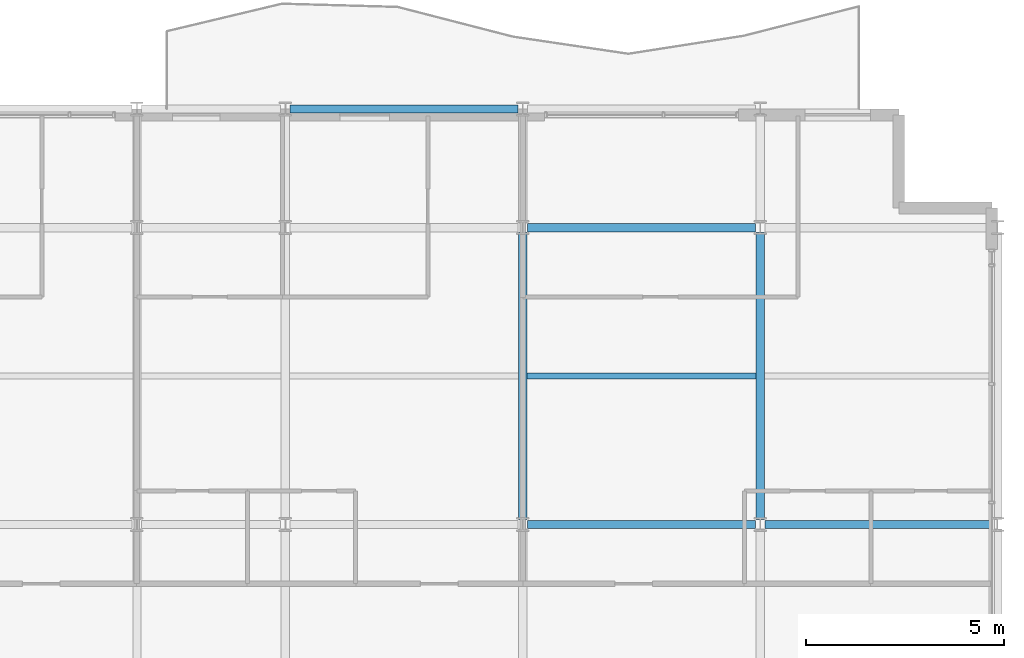
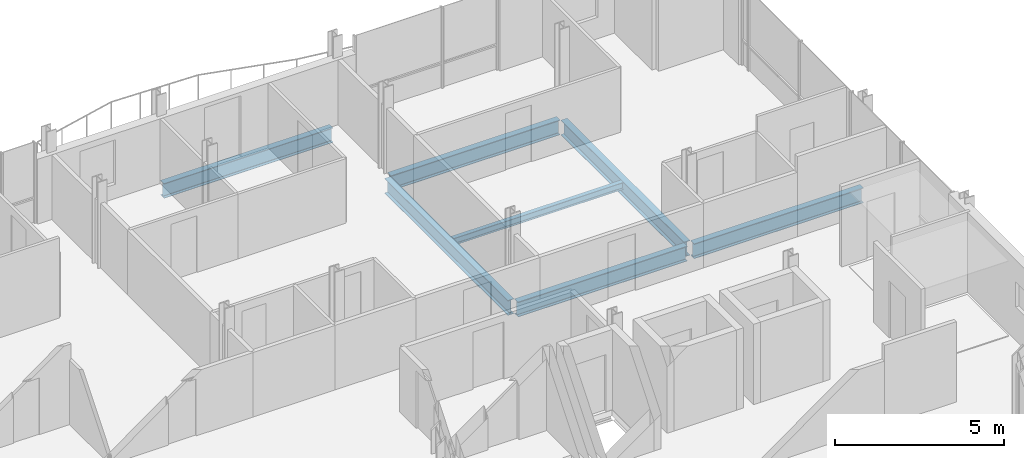
# One storey, part 8 of 17: 7 beams.
"""IFC4 building model written with IfcOpenShell, lengths in metres."""

import ifcopenshell
import ifcopenshell.guid

model = None  # the IFC model being written
_history = None  # IfcOwnerHistory: only IFC2X3 demands one
_inside = {}  # id of a spatial element -> (the spatial element, [elements in it])
_under = {}  # id of a project, library or spatial element -> (it, [spatial elements below it])
_declared = {}  # id of a project -> (the project, [libraries it declares])
_typed = {}  # id of a type object -> (the type object, [elements of that type])
_made_of = {}  # id of a material, layer set ... -> (it, [elements and type objects made of it])


def new_model(schema):
    """Start an empty IFC model of exactly this schema.

    Asked for "IFC4X3", IfcOpenShell would pick the latest addendum, in which some entities
    have other attributes; the version numbers below select the first issue.
    IFC2X3 requires an IfcOwnerHistory on every rooted entity: one is made here for all.
    """
    global model, _history
    if schema == "IFC4X3":
        model = ifcopenshell.file(schema_version=(4, 3, 0, 0))
    else:
        model = ifcopenshell.file(schema=schema)
    _inside.clear()
    _under.clear()
    _declared.clear()
    _typed.clear()
    _made_of.clear()
    _history = None
    if model.schema == "IFC2X3":
        org = make("IfcOrganization", Name="unknown")
        user = make(
            "IfcPersonAndOrganization",
            ThePerson=make("IfcPerson", FamilyName="unknown"),
            TheOrganization=org,
        )
        app = make(
            "IfcApplication",
            ApplicationDeveloper=org,
            Version="unknown",
            ApplicationFullName="unknown",
            ApplicationIdentifier="unknown",
        )
        _history = make(
            "IfcOwnerHistory",
            OwningUser=user,
            OwningApplication=app,
            ChangeAction="ADDED",
            CreationDate=0,
        )
    return model


def make(cls, **values):
    """One entity of the class cls with the attributes given. An attribute that is None is left unset."""
    return model.create_entity(
        cls, **{name: value for name, value in values.items() if value is not None}
    )


def rooted(cls, **values):
    """An entity with a GlobalId (a new one), such as an element, a storey or a relation."""
    return make(cls, GlobalId=ifcopenshell.guid.new(), OwnerHistory=_history, **values)


def si_unit(unit_type, name, prefix=None):
    """IfcSIUnit, for example si_unit("LENGTHUNIT", "METRE", prefix="MILLI")."""
    return make("IfcSIUnit", UnitType=unit_type, Prefix=prefix, Name=name)


def assignment(units):
    """IfcUnitAssignment: the units of a project."""
    return None if units is None else make("IfcUnitAssignment", Units=units)


def point(xyz):
    """IfcCartesianPoint."""
    return None if xyz is None else make("IfcCartesianPoint", Coordinates=xyz)


def direction(xyz):
    """IfcDirection."""
    return None if xyz is None else make("IfcDirection", DirectionRatios=xyz)


def frame(location, z_axis=None, x_axis=None):
    """IfcAxis2Placement3D, a coordinate frame: its origin and axes. An axis left out is left unset."""
    return make(
        "IfcAxis2Placement3D",
        Location=point(location),
        Axis=direction(z_axis),
        RefDirection=direction(x_axis),
    )


def frame_2d(location, x_axis=None):
    """IfcAxis2Placement2D, a coordinate frame in the plane: its origin and x axis."""
    return make(
        "IfcAxis2Placement2D", Location=point(location), RefDirection=direction(x_axis)
    )


def origin():
    """The frame at (0, 0, 0) with its axes left unset."""
    return frame((0.0, 0.0, 0.0))


def origin_2d():
    """The frame at (0, 0) in the plane with its x axis left unset."""
    return frame_2d((0.0, 0.0))


def place(relative_to, where):
    """IfcLocalPlacement: puts the frame where relative to a parent placement (None: the world)."""
    return make(
        "IfcLocalPlacement", PlacementRelTo=relative_to, RelativePlacement=where
    )


def context(
    kind, dimensions, precision=None, world=None, true_north=None, identifier=None
):
    """IfcGeometricRepresentationContext, for example the 3D "Model" context."""
    return make(
        "IfcGeometricRepresentationContext",
        ContextIdentifier=identifier,
        ContextType=kind,
        CoordinateSpaceDimension=dimensions,
        Precision=precision,
        WorldCoordinateSystem=world,
        TrueNorth=true_north,
    )


def subcontext(parent, identifier, kind, view, scale=None):
    """IfcGeometricRepresentationSubContext, for example "Body" below "Model"."""
    return make(
        "IfcGeometricRepresentationSubContext",
        ContextIdentifier=identifier,
        ContextType=kind,
        ParentContext=parent,
        TargetScale=scale,
        TargetView=view,
    )


def project(units=None, contexts=None):
    """IfcProject with its units and contexts."""
    return rooted(
        "IfcProject",
        Name="project",
        RepresentationContexts=contexts,
        UnitsInContext=assignment(units),
    )


def spatial(cls, under=None, at=None, **own):
    """A site, building, storey or space (cls), placed at a placement, below another one or the project."""
    s = rooted(cls, ObjectPlacement=at, **own)
    if under is not None:
        _under.setdefault(under.id(), (under, []))[1].append(s)
    return s


def profile(cls, at=None, kind="AREA", **sizes):
    """A parametric profile (cls). Its sizes go by their IFC names, for example OverallWidth=200.0."""
    return make(cls, ProfileType=kind, Position=at, **sizes)


def i_section(**sizes):
    """IfcIShapeProfileDef."""
    return profile("IfcIShapeProfileDef", **sizes)


def extrude(swept, where, along, depth):
    """IfcExtrudedAreaSolid: the profile swept, set in the frame where, extruded along a direction by depth."""
    return make(
        "IfcExtrudedAreaSolid",
        SweptArea=swept,
        Position=where,
        ExtrudedDirection=direction(along),
        Depth=depth,
    )


def shape(context_of_items, identifier, shape_type, items):
    """IfcShapeRepresentation: the items that make up one representation, for example the "Body"."""
    return make(
        "IfcShapeRepresentation",
        ContextOfItems=context_of_items,
        RepresentationIdentifier=identifier,
        RepresentationType=shape_type,
        Items=items,
    )


def material(Name=None, Category=None):
    """IfcMaterial."""
    return make("IfcMaterial", Name=Name, Category=Category)


def material_profile(
    of_material, cross_section, Name=None, Category=None, Priority=None
):
    """IfcMaterialProfile: a cross section and its material."""
    return make(
        "IfcMaterialProfile",
        Name=Name,
        Material=of_material,
        Profile=cross_section,
        Priority=Priority,
        Category=Category,
    )


def profile_set(profiles, Name=None, composite=None):
    """IfcMaterialProfileSet."""
    return make(
        "IfcMaterialProfileSet",
        Name=Name,
        MaterialProfiles=profiles,
        CompositeProfile=composite,
    )


def made_of(thing, what):
    """Note that an element or type object is made of a material, layer set ...; save() writes the relation."""
    if what is not None:
        _made_of.setdefault(what.id(), (what, []))[1].append(thing)
    return thing


def type_object(cls, material=None, **own):
    """A type object (cls), such as IfcWallType, which elements share."""
    return made_of(rooted(cls, **own), material)


def element(
    cls,
    number,
    at=None,
    inside=None,
    cuts=None,
    type_object=None,
    material=None,
    context=None,
    identifier="Body",
    shape_type=None,
    held_by="IfcProductDefinitionShape",
    body=None,
    shapes=None,
    **own,
):
    """One element of the class cls, such as IfcWall. Its Tag is "e" and its number.

    at: its placement. inside: the storey or other place that contains it. cuts: it is an
    opening in that element (IfcRelVoidsElement). A single representation is given by context,
    identifier, shape_type and body (its items); several are given by shapes. held_by: the class
    of the entity that holds the representations. save() writes the other relations.
    """
    e = rooted(cls, Tag="e%d" % number, ObjectPlacement=at, **own)
    if body is not None:
        shapes = [shape(context, identifier, shape_type, body)]
    if shapes is not None:
        e.Representation = make(held_by, Representations=shapes)
    if inside is not None:
        _inside.setdefault(inside.id(), (inside, []))[1].append(e)
    if cuts is not None:
        rooted(
            "IfcRelVoidsElement", RelatingBuildingElement=cuts, RelatedOpeningElement=e
        )
    if type_object is not None:
        _typed.setdefault(type_object.id(), (type_object, []))[1].append(e)
    return made_of(e, material)


def aggregate(whole, parts):
    """IfcRelAggregates: a whole, such as a stair, and the parts it consists of."""
    return rooted("IfcRelAggregates", RelatingObject=whole, RelatedObjects=parts)


def save(model, path):
    """Write the relations noted so far, then the file.

    IfcRelAggregates (storeys below a building ...), IfcRelContainedInSpatialStructure (elements
    in a storey), IfcRelDefinesByType, IfcRelAssociatesMaterial and IfcRelDeclares: one each for
    every whole, place, type object, material and project.
    """
    for whole, parts in _under.values():
        aggregate(whole, parts)
    for where, things in _inside.values():
        rooted(
            "IfcRelContainedInSpatialStructure",
            RelatedElements=things,
            RelatingStructure=where,
        )
    for kind, things in _typed.values():
        rooted("IfcRelDefinesByType", RelatedObjects=things, RelatingType=kind)
    for what, things in _made_of.values():
        rooted("IfcRelAssociatesMaterial", RelatedObjects=things, RelatingMaterial=what)
    for by, libraries in _declared.values():
        rooted("IfcRelDeclares", RelatingContext=by, RelatedDefinitions=libraries)
    model.write(path)


model = new_model("IFC4")

# Units and contexts
model_context = context("Model", 3, precision=1e-05, world=origin(), true_north=direction((0.0, 1.0)))
body_context = subcontext(model_context, "Body", "Model", "MODEL_VIEW")
ifc_project = project(units=[si_unit("LENGTHUNIT", "METRE"), si_unit("AREAUNIT", "SQUARE_METRE"), si_unit("VOLUMEUNIT", "CUBIC_METRE"), si_unit("PLANEANGLEUNIT", "RADIAN"), si_unit("MASSUNIT", "GRAM", prefix="KILO")], contexts=[model_context])

# Site, building, storey
site_placement = place(None, origin())
site = spatial("IfcSite", under=ifc_project, at=site_placement, CompositionType="ELEMENT")
building_placement = place(site_placement, origin())
building = spatial("IfcBuilding", under=site, at=building_placement, Name="Brevholm Reach", CompositionType="ELEMENT")
storey_placement = place(building_placement, frame((0.0, 0.0, 221.10009765625)))
storey = spatial("IfcBuildingStorey", under=building, at=storey_placement, Name="L67", CompositionType="ELEMENT", Elevation=221.10009765625)

# Beams
ifc_material_1 = material(Name="Structural Steel S355J2", Category="steel")
ifc_material_profile_1 = material_profile(ifc_material_1, i_section(OverallWidth=0.14599609375, OverallDepth=0.25146484375, WebThickness=0.006103515625, FlangeThickness=0.008544921875, FilletRadius=0.007568359375, at=origin_2d()), Name="UKB 254x146x31")
ifc_profile_set_1 = profile_set([ifc_material_profile_1], Name="Structural Steel S355J2")
beam_type_1 = type_object("IfcBeamType", Name="BM-B254", PredefinedType="BEAM", material=ifc_profile_set_1)
beam_1_placement = place(storey_placement, frame((48.10546875, 19.75, -0.335693359375), z_axis=(1.0, 0.0, 0.0), x_axis=(0.0, 1.0, 0.0)))
element("IfcBeam", 1, at=beam_1_placement, inside=storey, type_object=beam_type_1, Name="L67 Composite Secondary Floor Beam", PredefinedType="BEAM", context=body_context, shape_type="SweptSolid", body=[
    extrude(i_section(OverallWidth=0.14599609375, OverallDepth=0.25146484375, WebThickness=0.006103515625, FlangeThickness=0.008544921875, FilletRadius=0.007568359375, at=origin_2d()), origin(), (0.0, 0.0, 1.0), 5.7890625),
])
ifc_material_2 = material(Name="Structural Steel S355J2", Category="steel")
ifc_material_profile_2 = material_profile(ifc_material_2, i_section(OverallWidth=0.209228515625, OverallDepth=0.533203125, WebThickness=0.010009765625, FlangeThickness=0.015625, FilletRadius=0.0126953125, at=origin_2d()), Name="UKB 533x210x92")
ifc_profile_set_2 = profile_set([ifc_material_profile_2], Name="Structural Steel S355J2")
beam_type_2 = type_object("IfcBeamType", Name="BM-SP533", PredefinedType="SPANDREL", material=ifc_profile_set_2)
beam_2_placement = place(storey_placement, frame((42.1201171875, 26.5, -0.4765625), z_axis=(1.0, 0.0, 0.0), x_axis=(0.0, 1.0, 0.0)))
element("IfcBeam", 2, at=beam_2_placement, inside=storey, type_object=beam_type_2, Name="L67 SP-02 Framing Beam", PredefinedType="SPANDREL", context=body_context, shape_type="SweptSolid", body=[
    extrude(i_section(OverallWidth=0.209228515625, OverallDepth=0.533203125, WebThickness=0.010009765625, FlangeThickness=0.015625, FilletRadius=0.0126953125, at=origin_2d()), origin(), (0.0, 0.0, 1.0), 5.759765625),
])
ifc_material_3 = material(Name="Structural Steel S355J2", Category="steel")
ifc_material_profile_3 = material_profile(ifc_material_3, i_section(OverallWidth=0.210693359375, OverallDepth=0.53955078125, WebThickness=0.01171875, FlangeThickness=0.018798828125, FilletRadius=0.0126953125, at=origin_2d()), Name="UKB 533x210x109")
ifc_profile_set_3 = profile_set([ifc_material_profile_3], Name="Structural Steel S355J2")
beam_type_3 = type_object("IfcBeamType", Name="BM-SP539", PredefinedType="SPANDREL", material=ifc_profile_set_3)
for number, where, z_axis, x_axis, name in (
    (3, (48.1201171875, 16.0, -0.479736328125), (1.0, 0.0, 0.0), (0.0, 1.0, 0.0), "L67 SP-01B Framing Beam"),
    (4, (54.1201171875, 16.0, -0.479736328125), (1.0, 0.0, 0.0), (0.0, 1.0, 0.0), "L67 SP-01B Framing Beam"),
    (5, (48.1201171875, 23.5, -0.479736328125), (1.0, 0.0, 0.0), (0.0, 1.0, 0.0), "L67 SP-01B Framing Beam"),
):
    element("IfcBeam", number, at=place(storey_placement, frame(where, z_axis=z_axis, x_axis=x_axis)), inside=storey, type_object=beam_type_3, Name=name, PredefinedType="SPANDREL", context=body_context, shape_type="SweptSolid", body=[
        extrude(i_section(OverallWidth=0.210693359375, OverallDepth=0.53955078125, WebThickness=0.01171875, FlangeThickness=0.018798828125, FilletRadius=0.0126953125, at=origin_2d()), origin(), (0.0, 0.0, 1.0), 5.759765625),
    ])
for number, where, z_axis, x_axis, name in (
    (6, (48.0, 16.1201171875, -0.479736328125), (0.0, 1.0, 0.0), (-1.0, 0.0, 0.0), "L67 SP-01B Framing Beam"),
    (7, (54.0, 16.1201171875, -0.479736328125), (0.0, 1.0, 0.0), (-1.0, 0.0, 0.0), "L67 SP-01B Framing Beam"),
):
    element("IfcBeam", number, at=place(storey_placement, frame(where, z_axis=z_axis, x_axis=x_axis)), inside=storey, type_object=beam_type_3, Name=name, PredefinedType="SPANDREL", context=body_context, shape_type="SweptSolid", body=[
        extrude(i_section(OverallWidth=0.210693359375, OverallDepth=0.53955078125, WebThickness=0.01171875, FlangeThickness=0.018798828125, FilletRadius=0.0126953125, at=origin_2d()), origin(), (0.0, 0.0, 1.0), 7.259765625),
    ])

save(model, "model.ifc")
